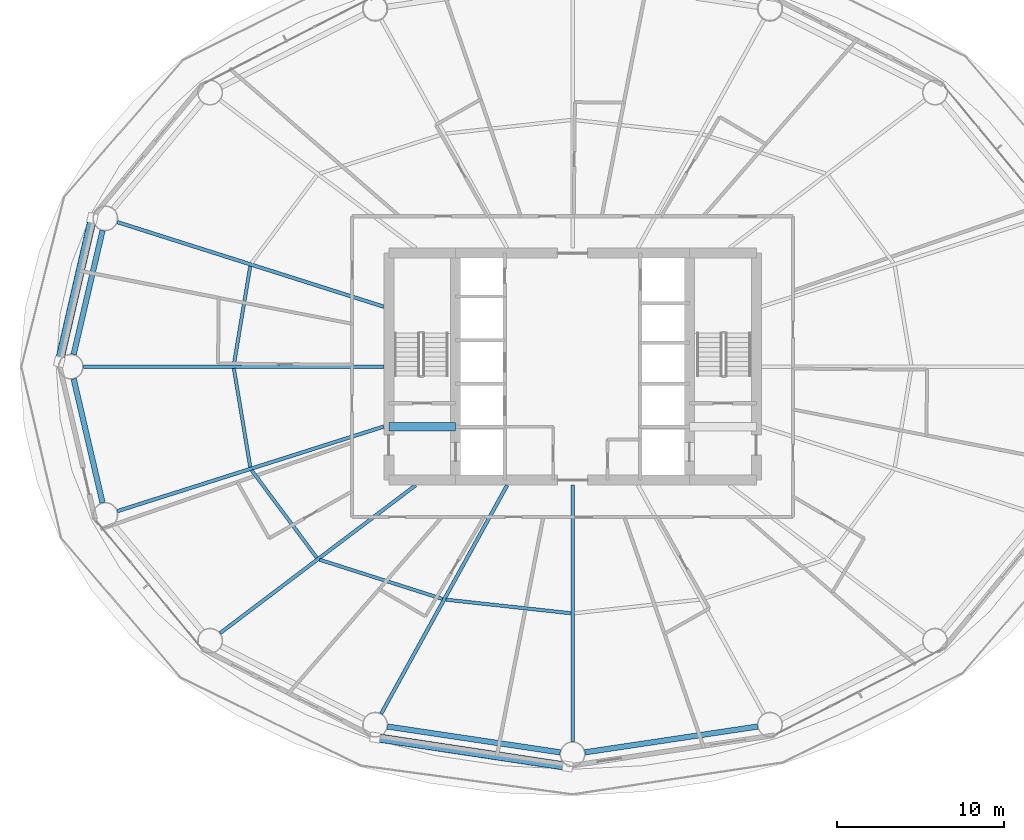
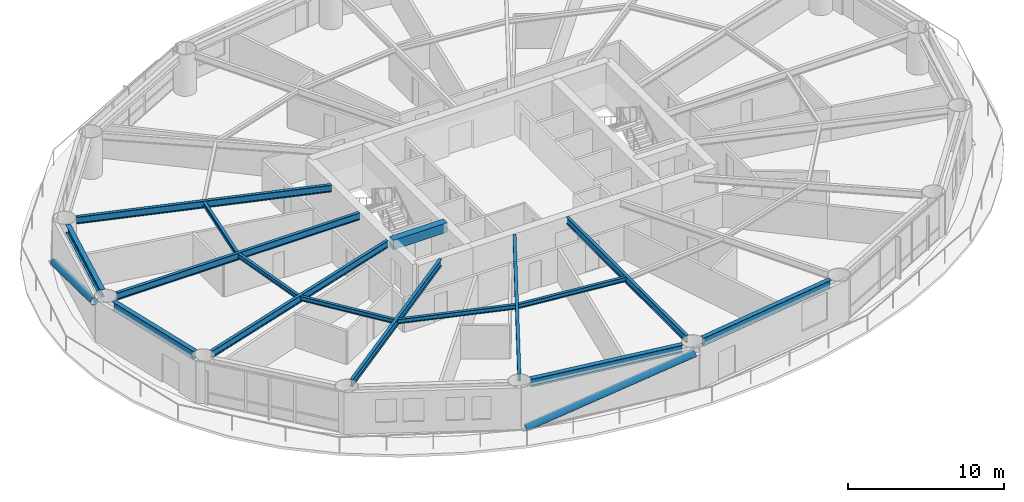
# One storey, part 4 of 27: 16 beams, 2 members.
"""IFC4 building model written with IfcOpenShell, lengths in metres."""

import ifcopenshell
import ifcopenshell.guid

model = None  # the IFC model being written
_history = None  # IfcOwnerHistory: only IFC2X3 demands one
_inside = {}  # id of a spatial element -> (the spatial element, [elements in it])
_under = {}  # id of a project, library or spatial element -> (it, [spatial elements below it])
_declared = {}  # id of a project -> (the project, [libraries it declares])
_typed = {}  # id of a type object -> (the type object, [elements of that type])
_made_of = {}  # id of a material, layer set ... -> (it, [elements and type objects made of it])


def new_model(schema):
    """Start an empty IFC model of exactly this schema.

    Asked for "IFC4X3", IfcOpenShell would pick the latest addendum, in which some entities
    have other attributes; the version numbers below select the first issue.
    IFC2X3 requires an IfcOwnerHistory on every rooted entity: one is made here for all.
    """
    global model, _history
    if schema == "IFC4X3":
        model = ifcopenshell.file(schema_version=(4, 3, 0, 0))
    else:
        model = ifcopenshell.file(schema=schema)
    _inside.clear()
    _under.clear()
    _declared.clear()
    _typed.clear()
    _made_of.clear()
    _history = None
    if model.schema == "IFC2X3":
        org = make("IfcOrganization", Name="unknown")
        user = make(
            "IfcPersonAndOrganization",
            ThePerson=make("IfcPerson", FamilyName="unknown"),
            TheOrganization=org,
        )
        app = make(
            "IfcApplication",
            ApplicationDeveloper=org,
            Version="unknown",
            ApplicationFullName="unknown",
            ApplicationIdentifier="unknown",
        )
        _history = make(
            "IfcOwnerHistory",
            OwningUser=user,
            OwningApplication=app,
            ChangeAction="ADDED",
            CreationDate=0,
        )
    return model


def make(cls, **values):
    """One entity of the class cls with the attributes given. An attribute that is None is left unset."""
    return model.create_entity(
        cls, **{name: value for name, value in values.items() if value is not None}
    )


def rooted(cls, **values):
    """An entity with a GlobalId (a new one), such as an element, a storey or a relation."""
    return make(cls, GlobalId=ifcopenshell.guid.new(), OwnerHistory=_history, **values)


def si_unit(unit_type, name, prefix=None):
    """IfcSIUnit, for example si_unit("LENGTHUNIT", "METRE", prefix="MILLI")."""
    return make("IfcSIUnit", UnitType=unit_type, Prefix=prefix, Name=name)


def assignment(units):
    """IfcUnitAssignment: the units of a project."""
    return None if units is None else make("IfcUnitAssignment", Units=units)


def point(xyz):
    """IfcCartesianPoint."""
    return None if xyz is None else make("IfcCartesianPoint", Coordinates=xyz)


def direction(xyz):
    """IfcDirection."""
    return None if xyz is None else make("IfcDirection", DirectionRatios=xyz)


def frame(location, z_axis=None, x_axis=None):
    """IfcAxis2Placement3D, a coordinate frame: its origin and axes. An axis left out is left unset."""
    return make(
        "IfcAxis2Placement3D",
        Location=point(location),
        Axis=direction(z_axis),
        RefDirection=direction(x_axis),
    )


def frame_2d(location, x_axis=None):
    """IfcAxis2Placement2D, a coordinate frame in the plane: its origin and x axis."""
    return make(
        "IfcAxis2Placement2D", Location=point(location), RefDirection=direction(x_axis)
    )


def origin():
    """The frame at (0, 0, 0) with its axes left unset."""
    return frame((0.0, 0.0, 0.0))


def origin_2d():
    """The frame at (0, 0) in the plane with its x axis left unset."""
    return frame_2d((0.0, 0.0))


def place(relative_to, where):
    """IfcLocalPlacement: puts the frame where relative to a parent placement (None: the world)."""
    return make(
        "IfcLocalPlacement", PlacementRelTo=relative_to, RelativePlacement=where
    )


def context(
    kind, dimensions, precision=None, world=None, true_north=None, identifier=None
):
    """IfcGeometricRepresentationContext, for example the 3D "Model" context."""
    return make(
        "IfcGeometricRepresentationContext",
        ContextIdentifier=identifier,
        ContextType=kind,
        CoordinateSpaceDimension=dimensions,
        Precision=precision,
        WorldCoordinateSystem=world,
        TrueNorth=true_north,
    )


def subcontext(parent, identifier, kind, view, scale=None):
    """IfcGeometricRepresentationSubContext, for example "Body" below "Model"."""
    return make(
        "IfcGeometricRepresentationSubContext",
        ContextIdentifier=identifier,
        ContextType=kind,
        ParentContext=parent,
        TargetScale=scale,
        TargetView=view,
    )


def project(units=None, contexts=None):
    """IfcProject with its units and contexts."""
    return rooted(
        "IfcProject",
        Name="project",
        RepresentationContexts=contexts,
        UnitsInContext=assignment(units),
    )


def spatial(cls, under=None, at=None, **own):
    """A site, building, storey or space (cls), placed at a placement, below another one or the project."""
    s = rooted(cls, ObjectPlacement=at, **own)
    if under is not None:
        _under.setdefault(under.id(), (under, []))[1].append(s)
    return s


def profile(cls, at=None, kind="AREA", **sizes):
    """A parametric profile (cls). Its sizes go by their IFC names, for example OverallWidth=200.0."""
    return make(cls, ProfileType=kind, Position=at, **sizes)


def rectangle(**sizes):
    """IfcRectangleProfileDef."""
    return profile("IfcRectangleProfileDef", **sizes)


def hollow_circle(**sizes):
    """IfcCircleHollowProfileDef."""
    return profile("IfcCircleHollowProfileDef", **sizes)


def i_section(**sizes):
    """IfcIShapeProfileDef."""
    return profile("IfcIShapeProfileDef", **sizes)


def extrude(swept, where, along, depth):
    """IfcExtrudedAreaSolid: the profile swept, set in the frame where, extruded along a direction by depth."""
    return make(
        "IfcExtrudedAreaSolid",
        SweptArea=swept,
        Position=where,
        ExtrudedDirection=direction(along),
        Depth=depth,
    )


def shape(context_of_items, identifier, shape_type, items):
    """IfcShapeRepresentation: the items that make up one representation, for example the "Body"."""
    return make(
        "IfcShapeRepresentation",
        ContextOfItems=context_of_items,
        RepresentationIdentifier=identifier,
        RepresentationType=shape_type,
        Items=items,
    )


def material(Name=None, Category=None):
    """IfcMaterial."""
    return make("IfcMaterial", Name=Name, Category=Category)


def material_profile(
    of_material, cross_section, Name=None, Category=None, Priority=None
):
    """IfcMaterialProfile: a cross section and its material."""
    return make(
        "IfcMaterialProfile",
        Name=Name,
        Material=of_material,
        Profile=cross_section,
        Priority=Priority,
        Category=Category,
    )


def profile_set(profiles, Name=None, composite=None):
    """IfcMaterialProfileSet."""
    return make(
        "IfcMaterialProfileSet",
        Name=Name,
        MaterialProfiles=profiles,
        CompositeProfile=composite,
    )


def made_of(thing, what):
    """Note that an element or type object is made of a material, layer set ...; save() writes the relation."""
    if what is not None:
        _made_of.setdefault(what.id(), (what, []))[1].append(thing)
    return thing


def type_object(cls, material=None, **own):
    """A type object (cls), such as IfcWallType, which elements share."""
    return made_of(rooted(cls, **own), material)


def element(
    cls,
    number,
    at=None,
    inside=None,
    cuts=None,
    type_object=None,
    material=None,
    context=None,
    identifier="Body",
    shape_type=None,
    held_by="IfcProductDefinitionShape",
    body=None,
    shapes=None,
    **own,
):
    """One element of the class cls, such as IfcWall. Its Tag is "e" and its number.

    at: its placement. inside: the storey or other place that contains it. cuts: it is an
    opening in that element (IfcRelVoidsElement). A single representation is given by context,
    identifier, shape_type and body (its items); several are given by shapes. held_by: the class
    of the entity that holds the representations. save() writes the other relations.
    """
    e = rooted(cls, Tag="e%d" % number, ObjectPlacement=at, **own)
    if body is not None:
        shapes = [shape(context, identifier, shape_type, body)]
    if shapes is not None:
        e.Representation = make(held_by, Representations=shapes)
    if inside is not None:
        _inside.setdefault(inside.id(), (inside, []))[1].append(e)
    if cuts is not None:
        rooted(
            "IfcRelVoidsElement", RelatingBuildingElement=cuts, RelatedOpeningElement=e
        )
    if type_object is not None:
        _typed.setdefault(type_object.id(), (type_object, []))[1].append(e)
    return made_of(e, material)


def aggregate(whole, parts):
    """IfcRelAggregates: a whole, such as a stair, and the parts it consists of."""
    return rooted("IfcRelAggregates", RelatingObject=whole, RelatedObjects=parts)


def save(model, path):
    """Write the relations noted so far, then the file.

    IfcRelAggregates (storeys below a building ...), IfcRelContainedInSpatialStructure (elements
    in a storey), IfcRelDefinesByType, IfcRelAssociatesMaterial and IfcRelDeclares: one each for
    every whole, place, type object, material and project.
    """
    for whole, parts in _under.values():
        aggregate(whole, parts)
    for where, things in _inside.values():
        rooted(
            "IfcRelContainedInSpatialStructure",
            RelatedElements=things,
            RelatingStructure=where,
        )
    for kind, things in _typed.values():
        rooted("IfcRelDefinesByType", RelatedObjects=things, RelatingType=kind)
    for what, things in _made_of.values():
        rooted("IfcRelAssociatesMaterial", RelatedObjects=things, RelatingMaterial=what)
    for by, libraries in _declared.values():
        rooted("IfcRelDeclares", RelatingContext=by, RelatedDefinitions=libraries)
    model.write(path)


model = new_model("IFC4")

# Units and contexts
model_context = context("Model", 3, precision=1e-05, world=origin(), true_north=direction((0.0, 1.0)))
body_context = subcontext(model_context, "Body", "Model", "MODEL_VIEW")
ifc_project = project(units=[si_unit("LENGTHUNIT", "METRE"), si_unit("AREAUNIT", "SQUARE_METRE"), si_unit("VOLUMEUNIT", "CUBIC_METRE"), si_unit("PLANEANGLEUNIT", "RADIAN"), si_unit("MASSUNIT", "GRAM", prefix="KILO")], contexts=[model_context])

# Site, building, storey
site_placement = place(None, origin())
site = spatial("IfcSite", under=ifc_project, at=site_placement, CompositionType="ELEMENT")
building_placement = place(site_placement, origin())
building = spatial("IfcBuilding", under=site, at=building_placement, Name="Sarneth Arch Tower", CompositionType="ELEMENT")
storey_placement = place(building_placement, frame((0.0, 0.0, 75.0)))
storey = spatial("IfcBuildingStorey", under=building, at=storey_placement, Name="L18", CompositionType="ELEMENT", Elevation=75.0)

# Beams
ifc_material_1 = material(Name="Steel S355", Category="steel")
ifc_material_profile_1 = material_profile(ifc_material_1, i_section(OverallWidth=0.202880859375, OverallDepth=0.346923828125, WebThickness=0.0078125, FlangeThickness=0.013427734375, FilletRadius=0.014892578125, at=origin_2d()), Name="W360x64")
ifc_profile_set_1 = profile_set([ifc_material_profile_1], Name="Steel S355")
beam_type_1 = type_object("IfcBeamType", Name="BM-JOIST-360C", PredefinedType="JOIST", material=ifc_profile_set_1)
for number, where, z_axis, x_axis, name in (
    (1, (28.70703125, 48.013916015625, 3.076416015625), (-0.16394288124, -0.986469833138, 0.0), (0.986469833138, -0.16394288124, 0.0), "L18 Secondary floor joist 08"),
    (2, (27.72509765625, 41.89453125, 3.076416015625), (0.16394288124, -0.986469833138, 0.0), (0.986469833138, 0.16394288124, 0.0), "L18 Secondary floor joist 09"),
):
    element("IfcBeam", number, at=place(storey_placement, frame(where, z_axis=z_axis, x_axis=x_axis)), inside=storey, type_object=beam_type_1, Name=name, PredefinedType="JOIST", context=body_context, shape_type="SweptSolid", body=[
        extrude(i_section(OverallWidth=0.202880859375, OverallDepth=0.346923828125, WebThickness=0.0078125, FlangeThickness=0.013427734375, FilletRadius=0.014892578125, at=origin_2d()), origin(), (0.0, 0.0, 1.0), 5.989501953125),
    ])
beam_1_placement = place(storey_placement, frame((28.78857421875, 35.794921875, 3.076416015625), z_axis=(0.597700490469, -0.801719479428, 0.0), x_axis=(0.801719479428, 0.597700490469, 0.0)))
element("IfcBeam", 3, at=beam_1_placement, inside=storey, type_object=beam_type_1, Name="L18 Secondary floor joist 10", PredefinedType="JOIST", context=body_context, shape_type="SweptSolid", body=[
    extrude(i_section(OverallWidth=0.202880859375, OverallDepth=0.346923828125, WebThickness=0.0078125, FlangeThickness=0.013427734375, FilletRadius=0.014892578125, at=origin_2d()), origin(), (0.0, 0.0, 1.0), 6.5302734375),
])
beam_2_placement = place(storey_placement, frame((32.857666015625, 30.441162109375, 3.076416015625), z_axis=(0.95266836992, -0.304011475036, 0.0), x_axis=(0.304011475036, 0.95266836992, 0.0)))
element("IfcBeam", 4, at=beam_2_placement, inside=storey, type_object=beam_type_1, Name="L18 Secondary floor joist 11", PredefinedType="JOIST", context=body_context, shape_type="SweptSolid", body=[
    extrude(i_section(OverallWidth=0.202880859375, OverallDepth=0.346923828125, WebThickness=0.0078125, FlangeThickness=0.013427734375, FilletRadius=0.014892578125, at=origin_2d()), origin(), (0.0, 0.0, 1.0), 7.720703125),
])
beam_3_placement = place(storey_placement, frame((40.421142578125, 28.0498046875, 3.076416015625), z_axis=(0.994129966112, -0.108192469602, 0.0), x_axis=(0.108192469602, 0.994129966112, 0.0)))
element("IfcBeam", 5, at=beam_3_placement, inside=storey, type_object=beam_type_1, Name="L18 Secondary floor joist 12", PredefinedType="JOIST", context=body_context, shape_type="SweptSolid", body=[
    extrude(i_section(OverallWidth=0.202880859375, OverallDepth=0.346923828125, WebThickness=0.0078125, FlangeThickness=0.013427734375, FilletRadius=0.014892578125, at=origin_2d()), origin(), (0.0, 0.0, 1.0), 7.5166015625),
])
ifc_material_2 = material(Name="Concrete C50/60", Category="concrete")
ifc_material_profile_2 = material_profile(ifc_material_2, rectangle(XDim=0.5, YDim=0.75, at=origin_2d()), Name="RC-500x750")
ifc_profile_set_2 = profile_set([ifc_material_profile_2], Name="Concrete C50/60")
beam_type_2 = type_object("IfcBeamType", Name="BM-LINTEL-RC", PredefinedType="LINTEL", material=ifc_profile_set_2)
beam_4_placement = place(storey_placement, frame((37.0, 38.39990234375, 2.875), z_axis=(1.0, 0.0, 0.0), x_axis=(0.0, 1.0, 0.0)))
element("IfcBeam", 6, at=beam_4_placement, inside=storey, type_object=beam_type_2, Name="L18 Core coupling lintel W", PredefinedType="LINTEL", context=body_context, shape_type="SweptSolid", body=[
    extrude(rectangle(XDim=0.5, YDim=0.75, at=origin_2d()), origin(), (0.0, 0.0, 1.0), 4.0),
])
ifc_material_3 = material(Name="Steel S355", Category="steel")
ifc_material_profile_3 = material_profile(ifc_material_3, i_section(OverallWidth=0.214111328125, OverallDepth=0.549072265625, WebThickness=0.0146484375, FlangeThickness=0.023681640625, FilletRadius=0.01806640625, at=origin_2d()), Name="W530x138")
ifc_profile_set_3 = profile_set([ifc_material_profile_3], Name="Steel S355")
beam_type_3 = type_object("IfcBeamType", Name="BM-RAD-530A", PredefinedType="BEAM", material=ifc_profile_set_3)
beam_5_placement = place(storey_placement, frame((36.699951171875, 45.58740234375, 2.9755859375), z_axis=(-0.953119859464, 0.30259301627, 0.0), x_axis=(-0.30259301627, -0.953119859464, 0.0)))
element("IfcBeam", 7, at=beam_5_placement, inside=storey, type_object=beam_type_3, Name="L18 Radial floor girder 08", PredefinedType="BEAM", context=body_context, shape_type="SweptSolid", body=[
    extrude(i_section(OverallWidth=0.214111328125, OverallDepth=0.549072265625, WebThickness=0.0146484375, FlangeThickness=0.023681640625, FilletRadius=0.01806640625, at=origin_2d()), origin(), (0.0, 0.0, 1.0), 16.7353515625),
])
beam_6_placement = place(storey_placement, frame((36.699951171875, 42.0, 2.9755859375), z_axis=(-1.0, 0.0, 0.0), x_axis=(0.0, -1.0, 0.0)))
element("IfcBeam", 8, at=beam_6_placement, inside=storey, type_object=beam_type_3, Name="L18 Radial floor girder 09", PredefinedType="BEAM", context=body_context, shape_type="SweptSolid", body=[
    extrude(i_section(OverallWidth=0.214111328125, OverallDepth=0.549072265625, WebThickness=0.0146484375, FlangeThickness=0.023681640625, FilletRadius=0.01806640625, at=origin_2d()), origin(), (0.0, 0.0, 1.0), 17.98486328125),
])
beam_7_placement = place(storey_placement, frame((36.699951171875, 38.41259765625, 2.9755859375), z_axis=(-0.953119859464, -0.30259301627, 0.0), x_axis=(0.30259301627, -0.953119859464, 0.0)))
element("IfcBeam", 9, at=beam_7_placement, inside=storey, type_object=beam_type_3, Name="L18 Radial floor girder 10", PredefinedType="BEAM", context=body_context, shape_type="SweptSolid", body=[
    extrude(i_section(OverallWidth=0.214111328125, OverallDepth=0.549072265625, WebThickness=0.0146484375, FlangeThickness=0.023681640625, FilletRadius=0.01806640625, at=origin_2d()), origin(), (0.0, 0.0, 1.0), 16.7353515625),
])
beam_8_placement = place(storey_placement, frame((38.609619140625, 34.89990234375, 2.9755859375), z_axis=(-0.79765464731, -0.603114469753, 0.0), x_axis=(0.603114469753, -0.79765464731, 0.0)))
element("IfcBeam", 10, at=beam_8_placement, inside=storey, type_object=beam_type_3, Name="L18 Radial floor girder 11", PredefinedType="BEAM", context=body_context, shape_type="SweptSolid", body=[
    extrude(i_section(OverallWidth=0.214111328125, OverallDepth=0.549072265625, WebThickness=0.0146484375, FlangeThickness=0.023681640625, FilletRadius=0.01806640625, at=origin_2d()), origin(), (0.0, 0.0, 1.0), 14.677978515625),
])
beam_9_placement = place(storey_placement, frame((44.08544921875, 34.89990234375, 2.9755859375), z_axis=(-0.482841370957, -0.875707833979, 0.0), x_axis=(0.875707833979, -0.482841370957, 0.0)))
element("IfcBeam", 11, at=beam_9_placement, inside=storey, type_object=beam_type_3, Name="L18 Radial floor girder 12", PredefinedType="BEAM", context=body_context, shape_type="SweptSolid", body=[
    extrude(i_section(OverallWidth=0.214111328125, OverallDepth=0.549072265625, WebThickness=0.0146484375, FlangeThickness=0.023681640625, FilletRadius=0.01806640625, at=origin_2d()), origin(), (0.0, 0.0, 1.0), 15.618408203125),
])
beam_10_placement = place(storey_placement, frame((48.0, 34.89990234375, 2.9755859375), z_axis=(0.0, -1.0, 0.0), x_axis=(1.0, 0.0, 0.0)))
element("IfcBeam", 12, at=beam_10_placement, inside=storey, type_object=beam_type_3, Name="L18 Radial floor girder 13", PredefinedType="BEAM", context=body_context, shape_type="SweptSolid", body=[
    extrude(i_section(OverallWidth=0.214111328125, OverallDepth=0.549072265625, WebThickness=0.0146484375, FlangeThickness=0.023681640625, FilletRadius=0.01806640625, at=origin_2d()), origin(), (0.0, 0.0, 1.0), 15.349853515625),
])
ifc_material_4 = material(Name="Steel S355", Category="steel")
ifc_material_profile_4 = material_profile(ifc_material_4, i_section(OverallWidth=0.326904296875, OverallDepth=0.6220703125, WebThickness=0.015380859375, FlangeThickness=0.0244140625, FilletRadius=0.01904296875, at=origin_2d()), Name="W610x195")
ifc_profile_set_4 = profile_set([ifc_material_profile_4], Name="Steel S355")
beam_type_4 = type_object("IfcBeamType", Name="BM-SPAN-610A", PredefinedType="SPANDREL", material=ifc_profile_set_4)
for number, where, z_axis, x_axis, name in (
    (13, (19.8642578125, 50.14794921875, 2.93896484375), (-0.226982354826, -0.973898870827, 0.0), (0.973898870827, -0.226982354826, 0.0), "L18 Perimeter spandrel beam 08"),
    (14, (18.135498046875, 41.26953125, 2.93896484375), (0.226982354826, -0.973898870827, 0.0), (0.973898870827, 0.226982354826, 0.0), "L18 Perimeter spandrel beam 09"),
):
    element("IfcBeam", number, at=place(storey_placement, frame(where, z_axis=z_axis, x_axis=x_axis)), inside=storey, type_object=beam_type_4, Name=name, PredefinedType="SPANDREL", context=body_context, shape_type="SweptSolid", body=[
        extrude(i_section(OverallWidth=0.326904296875, OverallDepth=0.6220703125, WebThickness=0.015380859375, FlangeThickness=0.0244140625, FilletRadius=0.01904296875, at=origin_2d()), origin(), (0.0, 0.0, 1.0), 7.6162109375),
    ])
for number, where, z_axis, x_axis, name in (
    (15, (36.923828125, 20.455078125, 2.93896484375), (0.989020169581, -0.147780594675, 0.0), (0.147780594675, 0.989020169581, 0.0), "L18 Perimeter spandrel beam 12"),
    (16, (48.74169921875, 18.910888671875, 2.93896484375), (0.989020169581, 0.147780594675, 0.0), (-0.147780594675, 0.989020169581, 0.0), "L18 Perimeter spandrel beam 13"),
):
    element("IfcBeam", number, at=place(storey_placement, frame(where, z_axis=z_axis, x_axis=x_axis)), inside=storey, type_object=beam_type_4, Name=name, PredefinedType="SPANDREL", context=body_context, shape_type="SweptSolid", body=[
        extrude(i_section(OverallWidth=0.326904296875, OverallDepth=0.6220703125, WebThickness=0.015380859375, FlangeThickness=0.0244140625, FilletRadius=0.01904296875, at=origin_2d()), origin(), (0.0, 0.0, 1.0), 10.44921875),
    ])

# Members
ifc_material_5 = material(Name="Steel S355", Category="steel")
ifc_material_profile_5 = material_profile(ifc_material_5, hollow_circle(Radius=0.25390625, WallThickness=0.01611328125, at=origin_2d()), Name="CHS508x16")
ifc_profile_set_5 = profile_set([ifc_material_profile_5], Name="Steel S355")
member_type = type_object("IfcMemberType", Name="MEM-DIAG-BR1", PredefinedType="BRACE", material=ifc_profile_set_5)
member_1_placement = place(storey_placement, frame((19.260986328125, 50.884521484375, 0.02001953125), z_axis=(-0.214274082893, -0.926888160438, 0.308163845124), x_axis=(0.974304339016, -0.225235554419, 0.0)))
element("IfcMember", 17, at=member_1_placement, inside=storey, type_object=member_type, Name="L18 Perimeter frame diagonal 08", PredefinedType="BRACE", context=body_context, shape_type="SweptSolid", body=[
    extrude(hollow_circle(Radius=0.25390625, WallThickness=0.01611328125, at=origin_2d()), origin(), (0.0, 0.0, 1.0), 9.27001953125),
])
member_2_placement = place(storey_placement, frame((36.180419921875, 19.80078125, 0.02001953125), z_axis=(0.960402443555, -0.144697270565, 0.238096296285), x_axis=(0.1489817545, 0.988839944999, 0.0)))
element("IfcMember", 18, at=member_2_placement, inside=storey, type_object=member_type, Name="L18 Perimeter frame diagonal 12", PredefinedType="BRACE", context=body_context, shape_type="SweptSolid", body=[
    extrude(hollow_circle(Radius=0.25390625, WallThickness=0.01611328125, at=origin_2d()), origin(), (0.0, 0.0, 1.0), 11.998046875),
])

save(model, "model.ifc")
